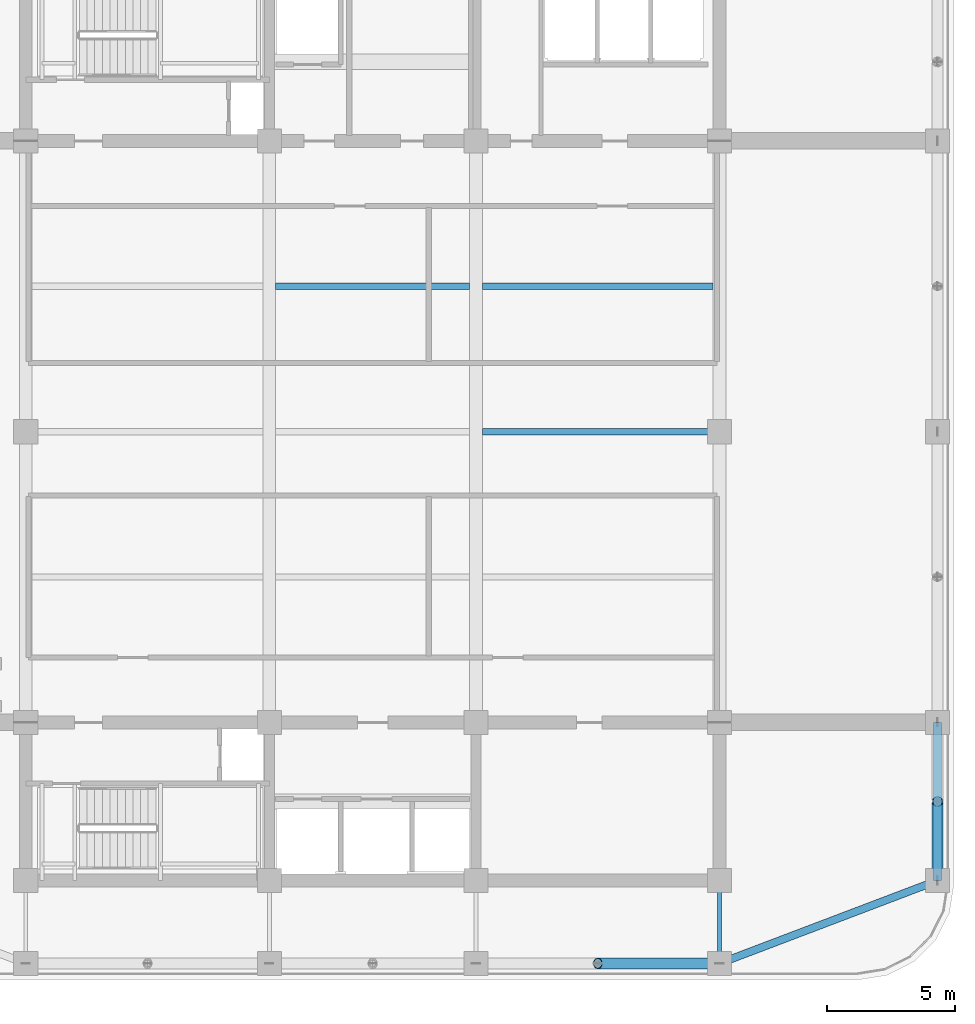
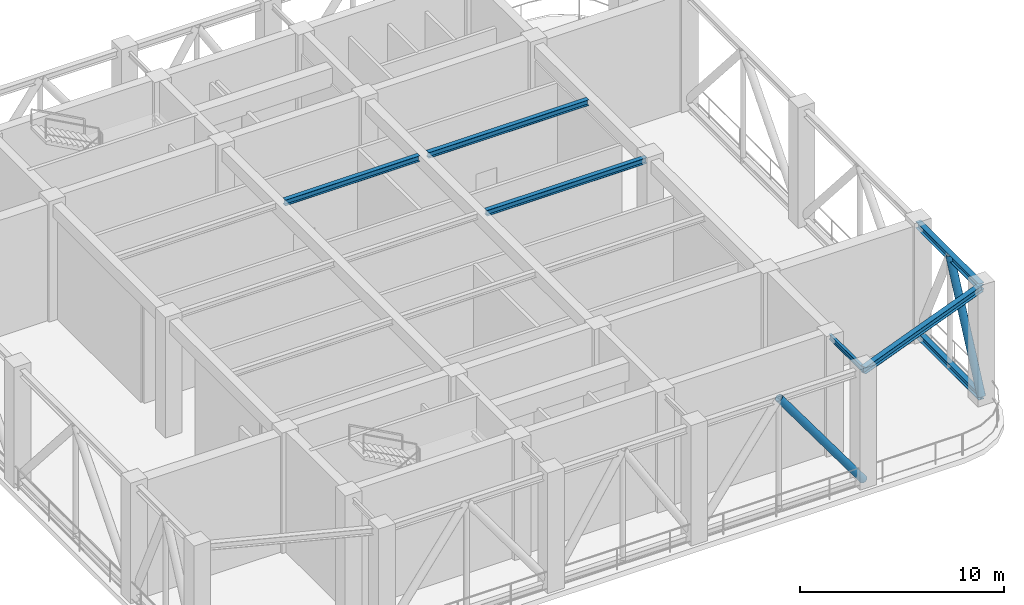
# One storey, part 5 of 20: 7 beams, 2 members.
"""IFC4 building model written with IfcOpenShell, lengths in metres."""

from ifc_helpers import new_model, si_unit, direction, frame, origin, origin_2d, place, context, subcontext, project, spatial, hollow_circle, i_section, extrude, material, material_profile, profile_set, type_object, element, save


model = new_model("IFC4")

# Units and contexts
model_context = context("Model", 3, precision=1e-05, world=origin(), true_north=direction((0.0, 1.0)))
body_context = subcontext(model_context, "Body", "Model", "MODEL_VIEW")
ifc_project = project(units=[si_unit("LENGTHUNIT", "METRE"), si_unit("AREAUNIT", "SQUARE_METRE"), si_unit("VOLUMEUNIT", "CUBIC_METRE"), si_unit("PLANEANGLEUNIT", "RADIAN"), si_unit("MASSUNIT", "GRAM", prefix="KILO")], contexts=[model_context])

# Site, building, storey
site_placement = place(None, origin())
site = spatial("IfcSite", under=ifc_project, at=site_placement, CompositionType="ELEMENT")
building_placement = place(site_placement, origin())
building = spatial("IfcBuilding", under=site, at=building_placement, Name="Svetorya Sky Lyceum", CompositionType="ELEMENT")
storey_placement = place(building_placement, frame((0.0, 0.0, 195.89990234375)))
storey = spatial("IfcBuildingStorey", under=building, at=storey_placement, Name="L49", CompositionType="ELEMENT", Elevation=195.89990234375)

# Beams
ifc_material = material(Name="Steel S355", Category="steel")
ifc_material_profile_1 = material_profile(ifc_material, i_section(OverallWidth=0.14990234375, OverallDepth=0.299072265625, WebThickness=0.006591796875, FlangeThickness=0.010498046875, at=origin_2d()), Name="GOST 30B2")
ifc_profile_set_1 = profile_set([ifc_material_profile_1], Name="Steel S355")
beam_type_1 = type_object("IfcBeamType", Name="BM-STL-30B2", PredefinedType="JOIST", material=ifc_profile_set_1)
beam_1_placement = place(storey_placement, frame((52.800048828125, 7.35009765625, 6.79052734375), z_axis=(0.0, 1.0, 0.0), x_axis=(-1.0, 0.0, 0.0)))
element("IfcBeam", 1, at=beam_1_placement, inside=storey, type_object=beam_type_1, Name="L49 South Bay Floor Girder S4", PredefinedType="JOIST", context=body_context, shape_type="SweptSolid", body=[
    extrude(i_section(OverallWidth=0.14990234375, OverallDepth=0.299072265625, WebThickness=0.006591796875, FlangeThickness=0.010498046875, at=origin_2d()), origin(), (0.0, 0.0, 1.0), 3.25),
])
ifc_material_profile_2 = material_profile(ifc_material, i_section(OverallWidth=0.25, OverallDepth=0.345947265625, WebThickness=0.009521484375, FlangeThickness=0.014404296875, at=origin_2d()), Name="GOST 35Sh2")
ifc_profile_set_2 = profile_set([ifc_material_profile_2], Name="Steel S355")
beam_type_2 = type_object("IfcBeamType", Name="BM-STL-35SH2", PredefinedType="BEAM", material=ifc_profile_set_2)
beam_2_placement = place(storey_placement, frame((43.5, 28.199951171875, 6.76708984375), z_axis=(1.0, 0.0, 0.0), x_axis=(0.0, 1.0, 0.0)))
element("IfcBeam", 2, at=beam_2_placement, inside=storey, type_object=beam_type_2, Name="L49 Central Floor Joist CJ-2.3", PredefinedType="BEAM", context=body_context, shape_type="SweptSolid", body=[
    extrude(i_section(OverallWidth=0.25, OverallDepth=0.345947265625, WebThickness=0.009521484375, FlangeThickness=0.014404296875, at=origin_2d()), origin(), (0.0, 0.0, 1.0), 9.050048828125),
])
beam_3_placement = place(storey_placement, frame((35.39990234375, 33.89990234375, 6.76708984375), z_axis=(1.0, 0.0, 0.0), x_axis=(0.0, 1.0, 0.0)))
element("IfcBeam", 3, at=beam_3_placement, inside=storey, type_object=beam_type_2, Name="L49 Central Floor Joist CJ-3.2", PredefinedType="BEAM", context=body_context, shape_type="SweptSolid", body=[
    extrude(i_section(OverallWidth=0.25, OverallDepth=0.345947265625, WebThickness=0.009521484375, FlangeThickness=0.014404296875, at=origin_2d()), origin(), (0.0, 0.0, 1.0), 7.60009765625),
])
beam_4_placement = place(storey_placement, frame((43.5, 33.89990234375, 6.76708984375), z_axis=(1.0, 0.0, 0.0), x_axis=(0.0, 1.0, 0.0)))
element("IfcBeam", 4, at=beam_4_placement, inside=storey, type_object=beam_type_2, Name="L49 Central Floor Joist CJ-3.3", PredefinedType="BEAM", context=body_context, shape_type="SweptSolid", body=[
    extrude(i_section(OverallWidth=0.25, OverallDepth=0.345947265625, WebThickness=0.009521484375, FlangeThickness=0.014404296875, at=origin_2d()), origin(), (0.0, 0.0, 1.0), 9.050048828125),
])
ifc_material_profile_3 = material_profile(ifc_material, i_section(OverallWidth=0.300048828125, OverallDepth=0.39404296875, WebThickness=0.010986328125, FlangeThickness=0.0166015625, at=origin_2d()), Name="GOST 40Sh2")
ifc_profile_set_3 = profile_set([ifc_material_profile_3], Name="Steel S355")
beam_type_3 = type_object("IfcBeamType", Name="BM-STL-40SH2", PredefinedType="BEAM", material=ifc_profile_set_3)
for number, where, z_axis, x_axis, name in (
    (5, (61.35009765625, 10.60009765625, 0.197021484375), (0.0, 1.0, 0.0), (-1.0, 0.0, 0.0), "L49 Belt Truss Bottom Chord E-1"),
    (6, (61.35009765625, 10.60009765625, 6.7431640625), (0.0, 1.0, 0.0), (-1.0, 0.0, 0.0), "L49 Belt Truss Top Chord E-1"),
):
    element("IfcBeam", number, at=place(storey_placement, frame(where, z_axis=z_axis, x_axis=x_axis)), inside=storey, type_object=beam_type_3, Name=name, PredefinedType="BEAM", context=body_context, shape_type="SweptSolid", body=[
        extrude(i_section(OverallWidth=0.300048828125, OverallDepth=0.39404296875, WebThickness=0.010986328125, FlangeThickness=0.0166015625, at=origin_2d()), origin(), (0.0, 0.0, 1.0), 6.199951171875),
    ])
beam_5_placement = place(storey_placement, frame((52.800048828125, 7.35009765625, 6.7431640625), z_axis=(0.934747947367, 0.355311518099, 0.0), x_axis=(-0.355311518099, 0.934747947367, 0.0)))
element("IfcBeam", 7, at=beam_5_placement, inside=storey, type_object=beam_type_3, Name="L49 Belt Truss Corner Tie 2", PredefinedType="BEAM", context=body_context, shape_type="SweptSolid", body=[
    extrude(i_section(OverallWidth=0.300048828125, OverallDepth=0.39404296875, WebThickness=0.010986328125, FlangeThickness=0.0166015625, at=origin_2d()), origin(), (0.0, 0.0, 1.0), 9.14697265625),
])

# Members
ifc_material_profile_4 = material_profile(ifc_material, hollow_circle(Radius=0.212890625, WallThickness=0.01806640625, at=origin_2d()), Name="CHS 426x18")
ifc_profile_set_4 = profile_set([ifc_material_profile_4], Name="Steel S355")
member_type = type_object("IfcMemberType", Name="MB-BRC-CHS426", PredefinedType="BRACE", material=ifc_profile_set_4)
member_1_placement = place(storey_placement, frame((52.800048828125, 7.35009765625, 0.197021484375), z_axis=(-0.589326650905, 0.0, 0.807894856113), x_axis=(0.0, -1.0, 0.0)))
element("IfcMember", 8, at=member_1_placement, inside=storey, type_object=member_type, Name="L49 Belt Truss Diagonal S-3B", PredefinedType="BRACE", context=body_context, shape_type="SweptSolid", body=[
    extrude(hollow_circle(Radius=0.212890625, WallThickness=0.01806640625, at=origin_2d()), origin(), (0.0, 0.0, 1.0), 8.102783203125),
])
member_2_placement = place(storey_placement, frame((61.35009765625, 10.60009765625, 0.197021484375), z_axis=(0.0, 0.427979119576, 0.903788621973), x_axis=(-1.0, 0.0, 0.0)))
element("IfcMember", 9, at=member_2_placement, inside=storey, type_object=member_type, Name="L49 Belt Truss Diagonal E-1A", PredefinedType="BRACE", context=body_context, shape_type="SweptSolid", body=[
    extrude(hollow_circle(Radius=0.212890625, WallThickness=0.01806640625, at=origin_2d()), origin(), (0.0, 0.0, 1.0), 7.242919921875),
])

save(model, "model.ifc")
